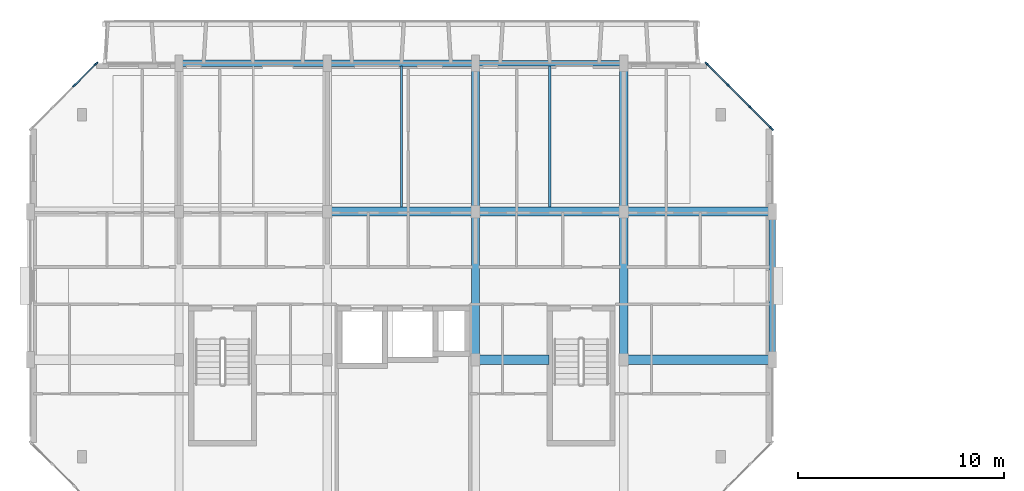
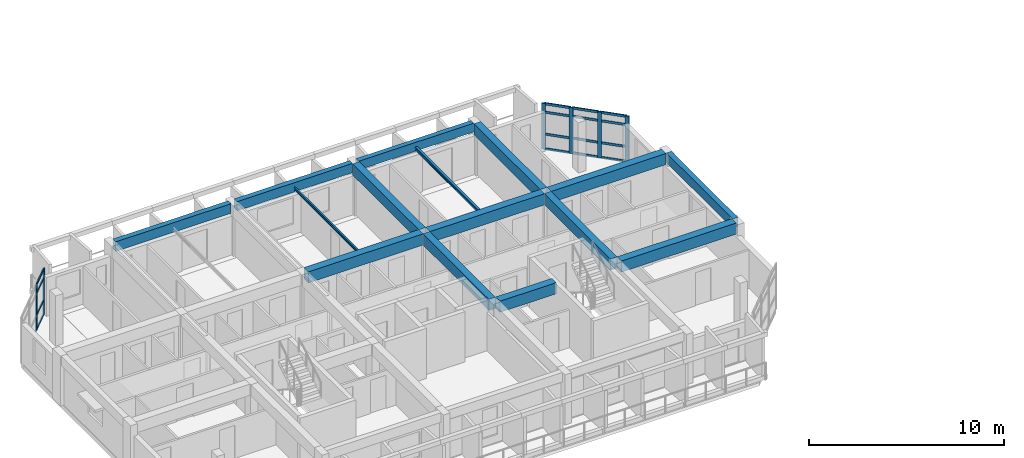
# One storey, part 6 of 46: 22 members, 15 beams, 2 elements without a shape of their own.
"""IFC4 building model written with IfcOpenShell, lengths in metres."""

from ifc_helpers import new_model, si_unit, direction, frame, origin, origin_2d, place, context, subcontext, project, spatial, rectangle, i_section, extrude, material, layer, layer_set, material_profile, profile_set, type_object, element, aggregate, save


model = new_model("IFC4")

# Units and contexts
model_context = context("Model", 3, precision=1e-05, world=origin(), true_north=direction((0.0, 1.0)))
body_context = subcontext(model_context, "Body", "Model", "MODEL_VIEW")
ifc_project = project(units=[si_unit("LENGTHUNIT", "METRE"), si_unit("AREAUNIT", "SQUARE_METRE"), si_unit("VOLUMEUNIT", "CUBIC_METRE"), si_unit("PLANEANGLEUNIT", "RADIAN"), si_unit("MASSUNIT", "GRAM", prefix="KILO")], contexts=[model_context])

# Site, building, storey
site_placement = place(None, origin())
site = spatial("IfcSite", under=ifc_project, at=site_placement, CompositionType="ELEMENT")
building_placement = place(site_placement, origin())
building = spatial("IfcBuilding", under=site, at=building_placement, Name="Ochrevale Crest", CompositionType="ELEMENT")
storey_placement = place(building_placement, frame((0.0, 0.0, 24.449951171875)))
storey = spatial("IfcBuildingStorey", under=building, at=storey_placement, Name="L07", CompositionType="ELEMENT", Elevation=24.449951171875)

# Beams
ifc_material_1 = material(Name="Precast concrete C50/60", Category="concrete")
ifc_material_profile_1 = material_profile(ifc_material_1, rectangle(XDim=0.39990234375, YDim=0.699951171875, at=origin_2d()), Name="PC 400x700")
ifc_profile_set_1 = profile_set([ifc_material_profile_1], Name="Precast concrete C50/60")
beam_type_1 = type_object("IfcBeamType", Name="BM-PC400x700", PredefinedType="BEAM", material=ifc_profile_set_1)
beam_1_placement = place(storey_placement, frame((21.60009765625, 79.405029296875, 2.800048828125), z_axis=(0.0, 1.0, 0.0), x_axis=(-1.0, 0.0, 0.0)))
element("IfcBeam", 1, at=beam_1_placement, inside=storey, type_object=beam_type_1, Name="Block B L07 N-S beam X=21.6", PredefinedType="BEAM", context=body_context, shape_type="SweptSolid", body=[
    extrude(rectangle(XDim=0.39990234375, YDim=0.699951171875, at=origin_2d()), origin(), (0.0, 0.0, 1.0), 6.7900390625),
])
beam_2_placement = place(storey_placement, frame((21.60009765625, 86.60498046875, 2.800048828125), z_axis=(0.0, 1.0, 0.0), x_axis=(-1.0, 0.0, 0.0)))
element("IfcBeam", 2, at=beam_2_placement, inside=storey, type_object=beam_type_1, Name="Block B L07 N-S beam X=21.6", PredefinedType="BEAM", context=body_context, shape_type="SweptSolid", body=[
    extrude(rectangle(XDim=0.39990234375, YDim=0.699951171875, at=origin_2d()), origin(), (0.0, 0.0, 1.0), 6.81494140625),
])
beam_3_placement = place(storey_placement, frame((28.800048828125, 79.405029296875, 2.800048828125), z_axis=(0.0, 1.0, 0.0), x_axis=(-1.0, 0.0, 0.0)))
element("IfcBeam", 3, at=beam_3_placement, inside=storey, type_object=beam_type_1, Name="Block B L07 N-S beam X=28.8", PredefinedType="BEAM", context=body_context, shape_type="SweptSolid", body=[
    extrude(rectangle(XDim=0.39990234375, YDim=0.699951171875, at=origin_2d()), origin(), (0.0, 0.0, 1.0), 6.7900390625),
])
beam_4_placement = place(storey_placement, frame((28.800048828125, 86.60498046875, 2.800048828125), z_axis=(0.0, 1.0, 0.0), x_axis=(-1.0, 0.0, 0.0)))
element("IfcBeam", 4, at=beam_4_placement, inside=storey, type_object=beam_type_1, Name="Block B L07 N-S beam X=28.8", PredefinedType="BEAM", context=body_context, shape_type="SweptSolid", body=[
    extrude(rectangle(XDim=0.39990234375, YDim=0.699951171875, at=origin_2d()), origin(), (0.0, 0.0, 1.0), 6.81494140625),
])
ifc_material_2 = material(Name="Concrete C50/60", Category="concrete")
ifc_material_profile_2 = material_profile(ifc_material_2, rectangle(XDim=0.449951171875, YDim=0.699951171875, at=origin_2d()), Name="RC 450x700")
ifc_profile_set_2 = profile_set([ifc_material_profile_2], Name="Concrete C50/60")
beam_type_2 = type_object("IfcBeamType", Name="BM-PG450x700", PredefinedType="USERDEFINED", material=ifc_profile_set_2)
beam_5_placement = place(storey_placement, frame((21.800048828125, 79.199951171875, 2.800048828125), z_axis=(1.0, 0.0, 0.0), x_axis=(0.0, 1.0, 0.0)))
element("IfcBeam", 5, at=beam_5_placement, inside=storey, type_object=beam_type_2, Name="Block B L07 E-W beam Y=79.2", ObjectType="GIRDER", PredefinedType="USERDEFINED", context=body_context, shape_type="SweptSolid", body=[
    extrude(rectangle(XDim=0.449951171875, YDim=0.699951171875, at=origin_2d()), origin(), (0.0, 0.0, 1.0), 3.35986328125),
])
beam_6_placement = place(storey_placement, frame((29.0, 79.199951171875, 2.800048828125), z_axis=(1.0, 0.0, 0.0), x_axis=(0.0, 1.0, 0.0)))
element("IfcBeam", 6, at=beam_6_placement, inside=storey, type_object=beam_type_2, Name="Block B L07 E-W beam Y=79.2", ObjectType="GIRDER", PredefinedType="USERDEFINED", context=body_context, shape_type="SweptSolid", body=[
    extrude(rectangle(XDim=0.449951171875, YDim=0.699951171875, at=origin_2d()), origin(), (0.0, 0.0, 1.0), 6.824951171875),
])
beam_7_placement = place(storey_placement, frame((14.60009765625, 86.39990234375, 2.800048828125), z_axis=(1.0, 0.0, 0.0), x_axis=(0.0, 1.0, 0.0)))
element("IfcBeam", 7, at=beam_7_placement, inside=storey, type_object=beam_type_2, Name="Block B L07 E-W beam Y=86.4", ObjectType="GIRDER", PredefinedType="USERDEFINED", context=body_context, shape_type="SweptSolid", body=[
    extrude(rectangle(XDim=0.449951171875, YDim=0.699951171875, at=origin_2d()), origin(), (0.0, 0.0, 1.0), 6.7998046875),
])
beam_8_placement = place(storey_placement, frame((21.800048828125, 86.39990234375, 2.800048828125), z_axis=(1.0, 0.0, 0.0), x_axis=(0.0, 1.0, 0.0)))
element("IfcBeam", 8, at=beam_8_placement, inside=storey, type_object=beam_type_2, Name="Block B L07 E-W beam Y=86.4", ObjectType="GIRDER", PredefinedType="USERDEFINED", context=body_context, shape_type="SweptSolid", body=[
    extrude(rectangle(XDim=0.449951171875, YDim=0.699951171875, at=origin_2d()), origin(), (0.0, 0.0, 1.0), 6.800048828125),
])
beam_9_placement = place(storey_placement, frame((29.0, 86.39990234375, 2.800048828125), z_axis=(1.0, 0.0, 0.0), x_axis=(0.0, 1.0, 0.0)))
element("IfcBeam", 9, at=beam_9_placement, inside=storey, type_object=beam_type_2, Name="Block B L07 E-W beam Y=86.4", ObjectType="GIRDER", PredefinedType="USERDEFINED", context=body_context, shape_type="SweptSolid", body=[
    extrude(rectangle(XDim=0.449951171875, YDim=0.699951171875, at=origin_2d()), origin(), (0.0, 0.0, 1.0), 6.824951171875),
])
ifc_material_3 = material(Name="Precast concrete C40/50", Category="concrete")
ifc_material_profile_3 = material_profile(ifc_material_3, rectangle(XDim=0.280029296875, YDim=0.550048828125, at=origin_2d()), Name="PC 280x550")
ifc_profile_set_3 = profile_set([ifc_material_profile_3], Name="Precast concrete C40/50")
beam_type_3 = type_object("IfcBeamType", Name="BM-SP280x550", PredefinedType="SPANDREL", material=ifc_profile_set_3)
beam_10_placement = place(storey_placement, frame((21.77490234375, 93.60009765625, 2.875), z_axis=(1.0, 0.0, 0.0), x_axis=(0.0, 1.0, 0.0)))
element("IfcBeam", 10, at=beam_10_placement, inside=storey, type_object=beam_type_3, Name="Block B L07 E-W beam Y=93.6", PredefinedType="SPANDREL", context=body_context, shape_type="SweptSolid", body=[
    extrude(rectangle(XDim=0.280029296875, YDim=0.550048828125, at=origin_2d()), origin(), (0.0, 0.0, 1.0), 6.85009765625),
])
ifc_material_profile_4 = material_profile(ifc_material_3, rectangle(XDim=0.300048828125, YDim=0.580078125, at=origin_2d()), Name="PC 300x580")
ifc_profile_set_4 = profile_set([ifc_material_profile_4], Name="Precast concrete C40/50")
beam_type_4 = type_object("IfcBeamType", Name="BM-SP300x580", PredefinedType="SPANDREL", material=ifc_profile_set_4)
beam_11_placement = place(storey_placement, frame((14.574951171875, 93.60009765625, 2.860107421875), z_axis=(1.0, 0.0, 0.0), x_axis=(0.0, 1.0, 0.0)))
element("IfcBeam", 11, at=beam_11_placement, inside=storey, type_object=beam_type_4, Name="Block B L07 E-W beam Y=93.6", PredefinedType="SPANDREL", context=body_context, shape_type="SweptSolid", body=[
    extrude(rectangle(XDim=0.300048828125, YDim=0.580078125, at=origin_2d()), origin(), (0.0, 0.0, 1.0), 6.85009765625),
])
ifc_material_profile_5 = material_profile(ifc_material_3, rectangle(XDim=0.300048828125, YDim=0.60009765625, at=origin_2d()), Name="PC 300x600")
ifc_profile_set_5 = profile_set([ifc_material_profile_5], Name="Precast concrete C40/50")
beam_type_5 = type_object("IfcBeamType", Name="BM-SP300x600", PredefinedType="SPANDREL", material=ifc_profile_set_5)
beam_12_placement = place(storey_placement, frame((7.375, 93.60009765625, 2.85009765625), z_axis=(1.0, 0.0, 0.0), x_axis=(0.0, 1.0, 0.0)))
element("IfcBeam", 12, at=beam_12_placement, inside=storey, type_object=beam_type_5, Name="Block B L07 E-W beam Y=93.6", PredefinedType="SPANDREL", context=body_context, shape_type="SweptSolid", body=[
    extrude(rectangle(XDim=0.300048828125, YDim=0.60009765625, at=origin_2d()), origin(), (0.0, 0.0, 1.0), 6.85009765625),
])
beam_13_placement = place(storey_placement, frame((36.0, 79.3798828125, 2.85009765625), z_axis=(0.0, 1.0, 0.0), x_axis=(-1.0, 0.0, 0.0)))
element("IfcBeam", 13, at=beam_13_placement, inside=storey, type_object=beam_type_5, Name="Block B L07 N-S beam X=36.0", PredefinedType="SPANDREL", context=body_context, shape_type="SweptSolid", body=[
    extrude(rectangle(XDim=0.300048828125, YDim=0.60009765625, at=origin_2d()), origin(), (0.0, 0.0, 1.0), 6.840087890625),
])
ifc_material_4 = material(Name="Steel S355", Category="steel")
ifc_material_profile_6 = material_profile(ifc_material_4, i_section(OverallWidth=0.090087890625, OverallDepth=0.1787109375, WebThickness=0.006103515625, FlangeThickness=0.010009765625, FilletRadius=0.0087890625, at=origin_2d()), Name="180UB22.2")
ifc_profile_set_6 = profile_set([ifc_material_profile_6], Name="Steel S355")
beam_type_6 = type_object("IfcBeamType", Name="BM-UB180", PredefinedType="JOIST", material=ifc_profile_set_6)
beam_14_placement = place(storey_placement, frame((18.0, 86.613037109375, 2.78564453125), z_axis=(0.0, 1.0, 0.0), x_axis=(-1.0, 0.0, 0.0)))
element("IfcBeam", 14, at=beam_14_placement, inside=storey, type_object=beam_type_6, Name="Block B L07 composite plank trimmer beam 3", PredefinedType="JOIST", context=body_context, shape_type="SweptSolid", body=[
    extrude(i_section(OverallWidth=0.090087890625, OverallDepth=0.1787109375, WebThickness=0.006103515625, FlangeThickness=0.010009765625, FilletRadius=0.0087890625, at=origin_2d()), origin(), (0.0, 0.0, 1.0), 6.848876953125),
])
ifc_material_profile_7 = material_profile(ifc_material_4, i_section(OverallWidth=0.13330078125, OverallDepth=0.203125, WebThickness=0.005859375, FlangeThickness=0.0078125, FilletRadius=0.0087890625, at=origin_2d()), Name="200UB25.4")
ifc_profile_set_7 = profile_set([ifc_material_profile_7], Name="Steel S355")
beam_type_7 = type_object("IfcBeamType", Name="BM-UB200A", PredefinedType="JOIST", material=ifc_profile_set_7)
beam_15_placement = place(storey_placement, frame((25.199951171875, 86.613037109375, 2.7734375), z_axis=(0.0, 1.0, 0.0), x_axis=(-1.0, 0.0, 0.0)))
element("IfcBeam", 15, at=beam_15_placement, inside=storey, type_object=beam_type_7, Name="Block B L07 composite plank trimmer beam 4", PredefinedType="JOIST", context=body_context, shape_type="SweptSolid", body=[
    extrude(i_section(OverallWidth=0.13330078125, OverallDepth=0.203125, WebThickness=0.005859375, FlangeThickness=0.0078125, FilletRadius=0.0087890625, at=origin_2d()), origin(), (0.0, 0.0, 1.0), 6.85888671875),
])

# Curtain wall, members
ifc_material_5 = material(Name="Anodised aluminium 6063-T5", Category="aluminium")
ifc_layer_1 = layer(ifc_material_5, 0.14990234375)
ifc_layer_set_1 = layer_set([ifc_layer_1], Name="Anodised aluminium 6063-T5")
curtain_wall_type_1 = type_object("IfcCurtainWallType", Name="CW-WG-280x285", PredefinedType="NOTDEFINED", material=ifc_layer_set_1)
curtain_wall_1_placement = place(storey_placement, origin())
curtain_wall_1 = element("IfcCurtainWall", 16, at=curtain_wall_1_placement, inside=storey, type_object=curtain_wall_type_1, Name="Block B L07 chamfered corner wintergarden curtain wall 4", PredefinedType="NOTDEFINED")
ifc_material_profile_8 = material_profile(ifc_material_5, rectangle(XDim=0.074951171875, YDim=0.219970703125, at=origin_2d()), Name="ALU 75x220")
ifc_profile_set_8 = profile_set([ifc_material_profile_8], Name="Anodised aluminium 6063-T5")
member_type_1 = type_object("IfcMemberType", Name="CW-MUL-75x220", PredefinedType="MULLION", material=ifc_profile_set_8)
member_1_placement = place(storey_placement, frame((35.973388671875, 90.426513671875, 0.0), z_axis=(0.0, 0.0, 1.0), x_axis=(-0.707106781187, -0.707106781187, 0.0)))
member_1 = element("IfcMember", 17, at=member_1_placement, type_object=member_type_1, Name="CW16 mullion 1", PredefinedType="MULLION", context=body_context, shape_type="SweptSolid", body=[
    extrude(rectangle(XDim=0.074951171875, YDim=0.219970703125, at=origin_2d()), origin(), (0.0, 0.0, 1.0), 2.875),
])
member_2_placement = place(storey_placement, frame((34.933349609375, 91.466552734375, 0.0), z_axis=(0.0, 0.0, 1.0), x_axis=(-0.707106781187, -0.707106781187, 0.0)))
member_2 = element("IfcMember", 18, at=member_2_placement, type_object=member_type_1, Name="CW16 mullion 2", PredefinedType="MULLION", context=body_context, shape_type="SweptSolid", body=[
    extrude(rectangle(XDim=0.074951171875, YDim=0.219970703125, at=origin_2d()), origin(), (0.0, 0.0, 1.0), 2.875),
])
member_3_placement = place(storey_placement, frame((33.86669921875, 92.533447265625, 0.0), z_axis=(0.0, 0.0, 1.0), x_axis=(-0.707106781187, -0.707106781187, 0.0)))
member_3 = element("IfcMember", 19, at=member_3_placement, type_object=member_type_1, Name="CW16 mullion 3", PredefinedType="MULLION", context=body_context, shape_type="SweptSolid", body=[
    extrude(rectangle(XDim=0.074951171875, YDim=0.219970703125, at=origin_2d()), origin(), (0.0, 0.0, 1.0), 2.875),
])
member_4_placement = place(storey_placement, frame((32.826416015625, 93.573486328125, 0.0), z_axis=(0.0, 0.0, 1.0), x_axis=(-0.707106781187, -0.707106781187, 0.0)))
member_4 = element("IfcMember", 20, at=member_4_placement, type_object=member_type_1, Name="CW16 mullion 4", PredefinedType="MULLION", context=body_context, shape_type="SweptSolid", body=[
    extrude(rectangle(XDim=0.074951171875, YDim=0.219970703125, at=origin_2d()), origin(), (0.0, 0.0, 1.0), 2.875),
])

ifc_layer_2 = layer(ifc_material_5, 0.14990234375)
ifc_layer_set_2 = layer_set([ifc_layer_2], Name="Anodised aluminium 6063-T5")
curtain_wall_type_2 = type_object("IfcCurtainWallType", Name="CW-WG-360x285", PredefinedType="NOTDEFINED", material=ifc_layer_set_2)
curtain_wall_2_placement = place(storey_placement, origin())
curtain_wall_2 = element("IfcCurtainWall", 21, at=curtain_wall_2_placement, inside=storey, type_object=curtain_wall_type_2, Name="Block B L07 chamfered corner wintergarden curtain wall 6", PredefinedType="NOTDEFINED")
member_5_placement = place(storey_placement, frame((3.173583984375, 93.573486328125, 0.0), z_axis=(0.0, 0.0, 1.0), x_axis=(0.707106781187, -0.707106781187, 0.0)))
member_5 = element("IfcMember", 22, at=member_5_placement, type_object=member_type_1, Name="CW18 mullion 1", PredefinedType="MULLION", context=body_context, shape_type="SweptSolid", body=[
    extrude(rectangle(XDim=0.074951171875, YDim=0.219970703125, at=origin_2d()), origin(), (0.0, 0.0, 1.0), 2.875),
])
member_6_placement = place(storey_placement, frame((2.13330078125, 92.533447265625, 0.0), z_axis=(0.0, 0.0, 1.0), x_axis=(0.707106781187, -0.707106781187, 0.0)))
member_6 = element("IfcMember", 23, at=member_6_placement, type_object=member_type_1, Name="CW18 mullion 2", PredefinedType="MULLION", context=body_context, shape_type="SweptSolid", body=[
    extrude(rectangle(XDim=0.074951171875, YDim=0.219970703125, at=origin_2d()), origin(), (0.0, 0.0, 1.0), 2.875),
])

# Member
ifc_material_profile_9 = material_profile(ifc_material_5, rectangle(XDim=0.06005859375, YDim=0.14990234375, at=origin_2d()), Name="ALU 60x150")
ifc_profile_set_9 = profile_set([ifc_material_profile_9], Name="Anodised aluminium 6063-T5")
member_type_2 = type_object("IfcMemberType", Name="CW-TRN-60x150", PredefinedType="USERDEFINED", material=ifc_profile_set_9)
member_7_placement = place(storey_placement, frame((35.947021484375, 90.453125, 0.030029296875), z_axis=(-0.707106781187, 0.707106781187, 0.0), x_axis=(-0.707106781187, -0.707106781187, 0.0)))
member_7 = element("IfcMember", 24, at=member_7_placement, type_object=member_type_2, Name="CW16 transom 1.1", ObjectType="TRANSOM", PredefinedType="USERDEFINED", context=body_context, shape_type="SweptSolid", body=[
    extrude(rectangle(XDim=0.06005859375, YDim=0.14990234375, at=origin_2d()), origin(), (0.0, 0.0, 1.0), 1.39599609375),
])

member_8_placement = place(storey_placement, frame((35.947021484375, 90.453125, 0.949951171875), z_axis=(-0.707106781187, 0.707106781187, 0.0), x_axis=(-0.707106781187, -0.707106781187, 0.0)))
member_8 = element("IfcMember", 25, at=member_8_placement, type_object=member_type_2, Name="CW16 transom 1.2", ObjectType="TRANSOM", PredefinedType="USERDEFINED", context=body_context, shape_type="SweptSolid", body=[
    extrude(rectangle(XDim=0.06005859375, YDim=0.14990234375, at=origin_2d()), origin(), (0.0, 0.0, 1.0), 1.39599609375),
])

member_9_placement = place(storey_placement, frame((35.947021484375, 90.453125, 2.324951171875), z_axis=(-0.707106781187, 0.707106781187, 0.0), x_axis=(-0.707106781187, -0.707106781187, 0.0)))
member_9 = element("IfcMember", 26, at=member_9_placement, type_object=member_type_2, Name="CW16 transom 1.3", ObjectType="TRANSOM", PredefinedType="USERDEFINED", context=body_context, shape_type="SweptSolid", body=[
    extrude(rectangle(XDim=0.06005859375, YDim=0.14990234375, at=origin_2d()), origin(), (0.0, 0.0, 1.0), 1.39599609375),
])

member_10_placement = place(storey_placement, frame((35.947021484375, 90.453125, 2.844970703125), z_axis=(-0.707106781187, 0.707106781187, 0.0), x_axis=(-0.707106781187, -0.707106781187, 0.0)))
member_10 = element("IfcMember", 27, at=member_10_placement, type_object=member_type_2, Name="CW16 transom 1.4", ObjectType="TRANSOM", PredefinedType="USERDEFINED", context=body_context, shape_type="SweptSolid", body=[
    extrude(rectangle(XDim=0.06005859375, YDim=0.14990234375, at=origin_2d()), origin(), (0.0, 0.0, 1.0), 1.39599609375),
])

member_11_placement = place(storey_placement, frame((34.90673828125, 91.4931640625, 0.030029296875), z_axis=(-0.707106781187, 0.707106781187, 0.0), x_axis=(-0.707106781187, -0.707106781187, 0.0)))
member_11 = element("IfcMember", 28, at=member_11_placement, type_object=member_type_2, Name="CW16 transom 2.1", ObjectType="TRANSOM", PredefinedType="USERDEFINED", context=body_context, shape_type="SweptSolid", body=[
    extrude(rectangle(XDim=0.06005859375, YDim=0.14990234375, at=origin_2d()), origin(), (0.0, 0.0, 1.0), 1.43359375),
])

member_12_placement = place(storey_placement, frame((34.90673828125, 91.4931640625, 0.949951171875), z_axis=(-0.707106781187, 0.707106781187, 0.0), x_axis=(-0.707106781187, -0.707106781187, 0.0)))
member_12 = element("IfcMember", 29, at=member_12_placement, type_object=member_type_2, Name="CW16 transom 2.2", ObjectType="TRANSOM", PredefinedType="USERDEFINED", context=body_context, shape_type="SweptSolid", body=[
    extrude(rectangle(XDim=0.06005859375, YDim=0.14990234375, at=origin_2d()), origin(), (0.0, 0.0, 1.0), 1.43359375),
])

member_13_placement = place(storey_placement, frame((34.90673828125, 91.4931640625, 2.324951171875), z_axis=(-0.707106781187, 0.707106781187, 0.0), x_axis=(-0.707106781187, -0.707106781187, 0.0)))
member_13 = element("IfcMember", 30, at=member_13_placement, type_object=member_type_2, Name="CW16 transom 2.3", ObjectType="TRANSOM", PredefinedType="USERDEFINED", context=body_context, shape_type="SweptSolid", body=[
    extrude(rectangle(XDim=0.06005859375, YDim=0.14990234375, at=origin_2d()), origin(), (0.0, 0.0, 1.0), 1.43359375),
])

member_14_placement = place(storey_placement, frame((34.90673828125, 91.4931640625, 2.844970703125), z_axis=(-0.707106781187, 0.707106781187, 0.0), x_axis=(-0.707106781187, -0.707106781187, 0.0)))
member_14 = element("IfcMember", 31, at=member_14_placement, type_object=member_type_2, Name="CW16 transom 2.4", ObjectType="TRANSOM", PredefinedType="USERDEFINED", context=body_context, shape_type="SweptSolid", body=[
    extrude(rectangle(XDim=0.06005859375, YDim=0.14990234375, at=origin_2d()), origin(), (0.0, 0.0, 1.0), 1.43359375),
])

member_15_placement = place(storey_placement, frame((33.840087890625, 92.559814453125, 0.030029296875), z_axis=(-0.707106781187, 0.707106781187, 0.0), x_axis=(-0.707106781187, -0.707106781187, 0.0)))
member_15 = element("IfcMember", 32, at=member_15_placement, type_object=member_type_2, Name="CW16 transom 3.1", ObjectType="TRANSOM", PredefinedType="USERDEFINED", context=body_context, shape_type="SweptSolid", body=[
    extrude(rectangle(XDim=0.06005859375, YDim=0.14990234375, at=origin_2d()), origin(), (0.0, 0.0, 1.0), 1.39599609375),
])

member_16_placement = place(storey_placement, frame((33.840087890625, 92.559814453125, 0.949951171875), z_axis=(-0.707106781187, 0.707106781187, 0.0), x_axis=(-0.707106781187, -0.707106781187, 0.0)))
member_16 = element("IfcMember", 33, at=member_16_placement, type_object=member_type_2, Name="CW16 transom 3.2", ObjectType="TRANSOM", PredefinedType="USERDEFINED", context=body_context, shape_type="SweptSolid", body=[
    extrude(rectangle(XDim=0.06005859375, YDim=0.14990234375, at=origin_2d()), origin(), (0.0, 0.0, 1.0), 1.39599609375),
])

member_17_placement = place(storey_placement, frame((33.840087890625, 92.559814453125, 2.324951171875), z_axis=(-0.707106781187, 0.707106781187, 0.0), x_axis=(-0.707106781187, -0.707106781187, 0.0)))
member_17 = element("IfcMember", 34, at=member_17_placement, type_object=member_type_2, Name="CW16 transom 3.3", ObjectType="TRANSOM", PredefinedType="USERDEFINED", context=body_context, shape_type="SweptSolid", body=[
    extrude(rectangle(XDim=0.06005859375, YDim=0.14990234375, at=origin_2d()), origin(), (0.0, 0.0, 1.0), 1.39599609375),
])

member_18_placement = place(storey_placement, frame((33.840087890625, 92.559814453125, 2.844970703125), z_axis=(-0.707106781187, 0.707106781187, 0.0), x_axis=(-0.707106781187, -0.707106781187, 0.0)))
member_18 = element("IfcMember", 35, at=member_18_placement, type_object=member_type_2, Name="CW16 transom 3.4", ObjectType="TRANSOM", PredefinedType="USERDEFINED", context=body_context, shape_type="SweptSolid", body=[
    extrude(rectangle(XDim=0.06005859375, YDim=0.14990234375, at=origin_2d()), origin(), (0.0, 0.0, 1.0), 1.39599609375),
])

aggregate(curtain_wall_1, [member_1, member_2, member_3, member_4, member_7, member_8, member_9, member_10, member_11, member_12, member_13, member_14, member_15, member_16, member_17, member_18])

member_19_placement = place(storey_placement, frame((3.14697265625, 93.546875, 0.030029296875), z_axis=(-0.707106781187, -0.707106781187, 0.0), x_axis=(0.707106781187, -0.707106781187, 0.0)))
member_19 = element("IfcMember", 36, at=member_19_placement, type_object=member_type_2, Name="CW18 transom 1.1", ObjectType="TRANSOM", PredefinedType="USERDEFINED", context=body_context, shape_type="SweptSolid", body=[
    extrude(rectangle(XDim=0.06005859375, YDim=0.14990234375, at=origin_2d()), origin(), (0.0, 0.0, 1.0), 1.39599609375),
])

member_20_placement = place(storey_placement, frame((3.14697265625, 93.546875, 0.949951171875), z_axis=(-0.707106781187, -0.707106781187, 0.0), x_axis=(0.707106781187, -0.707106781187, 0.0)))
member_20 = element("IfcMember", 37, at=member_20_placement, type_object=member_type_2, Name="CW18 transom 1.2", ObjectType="TRANSOM", PredefinedType="USERDEFINED", context=body_context, shape_type="SweptSolid", body=[
    extrude(rectangle(XDim=0.06005859375, YDim=0.14990234375, at=origin_2d()), origin(), (0.0, 0.0, 1.0), 1.39599609375),
])

member_21_placement = place(storey_placement, frame((3.14697265625, 93.546875, 2.324951171875), z_axis=(-0.707106781187, -0.707106781187, 0.0), x_axis=(0.707106781187, -0.707106781187, 0.0)))
member_21 = element("IfcMember", 38, at=member_21_placement, type_object=member_type_2, Name="CW18 transom 1.3", ObjectType="TRANSOM", PredefinedType="USERDEFINED", context=body_context, shape_type="SweptSolid", body=[
    extrude(rectangle(XDim=0.06005859375, YDim=0.14990234375, at=origin_2d()), origin(), (0.0, 0.0, 1.0), 1.39599609375),
])

member_22_placement = place(storey_placement, frame((3.14697265625, 93.546875, 2.844970703125), z_axis=(-0.707106781187, -0.707106781187, 0.0), x_axis=(0.707106781187, -0.707106781187, 0.0)))
member_22 = element("IfcMember", 39, at=member_22_placement, type_object=member_type_2, Name="CW18 transom 1.4", ObjectType="TRANSOM", PredefinedType="USERDEFINED", context=body_context, shape_type="SweptSolid", body=[
    extrude(rectangle(XDim=0.06005859375, YDim=0.14990234375, at=origin_2d()), origin(), (0.0, 0.0, 1.0), 1.39599609375),
])

aggregate(curtain_wall_2, [member_5, member_6, member_19, member_20, member_21, member_22])

save(model, "model.ifc")
